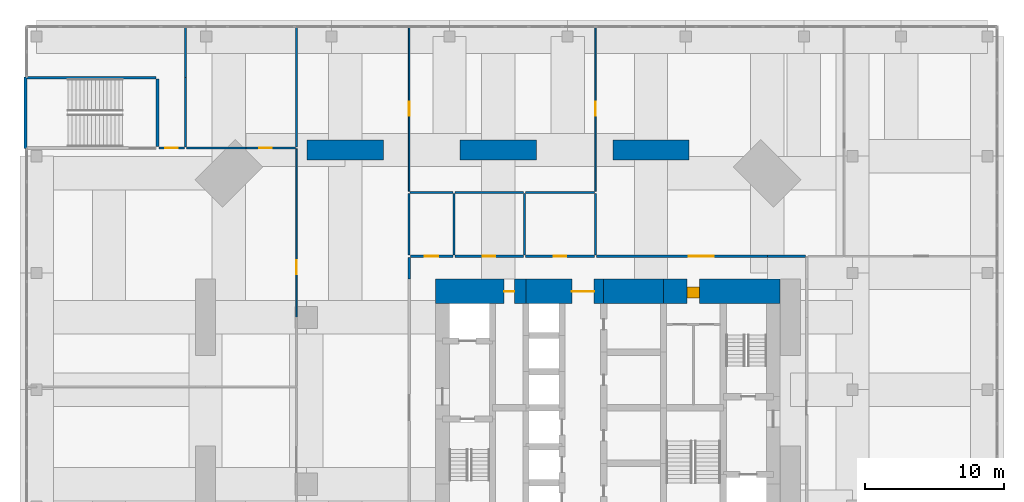
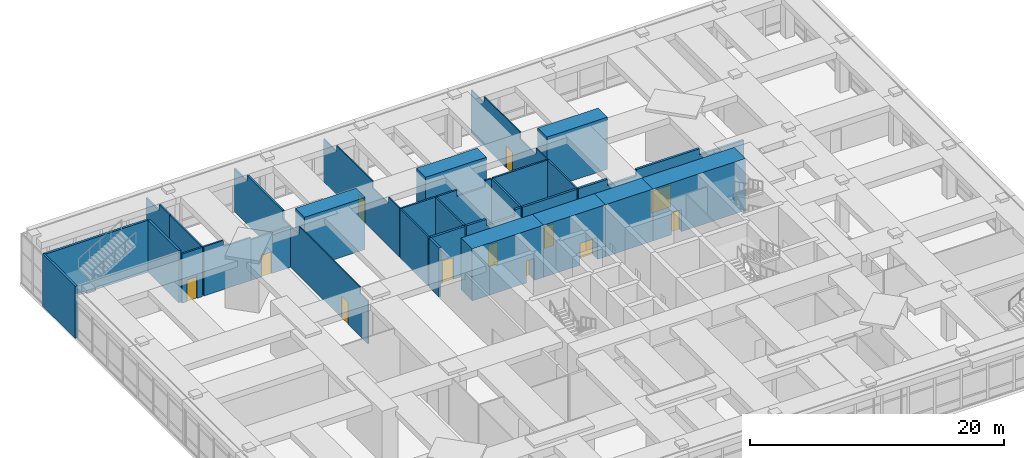
# One storey, part 20 of 22: 32 walls, 12 doors, 12 openings.
"""IFC4 building model written with IfcOpenShell, lengths in metres."""

from ifc_helpers import new_model, si_unit, direction, frame, frame_2d, origin, place, context, subcontext, project, spatial, polyline, rectangle, outline, extrude, material, layer, layer_set, constituent, constituent_set, type_object, element, fill, save


model = new_model("IFC4")

# Units and contexts
model_context = context("Model", 3, precision=1e-05, world=origin(), true_north=direction((0.0, 1.0)))
body_context = subcontext(model_context, "Body", "Model", "MODEL_VIEW")
ifc_project = project(units=[si_unit("LENGTHUNIT", "METRE"), si_unit("AREAUNIT", "SQUARE_METRE"), si_unit("VOLUMEUNIT", "CUBIC_METRE"), si_unit("PLANEANGLEUNIT", "RADIAN"), si_unit("MASSUNIT", "GRAM", prefix="KILO")], contexts=[model_context])

# Site, building, storey
site_placement = place(None, origin())
site = spatial("IfcSite", under=ifc_project, at=site_placement, CompositionType="ELEMENT")
building_placement = place(site_placement, origin())
building = spatial("IfcBuilding", under=site, at=building_placement, Name="Jalousie Tower", CompositionType="ELEMENT")
storey_placement = place(building_placement, frame((0.0, 0.0, 6.0)))
storey = spatial("IfcBuildingStorey", under=building, at=storey_placement, Name="L01", CompositionType="ELEMENT", Elevation=6.0)

# Wall, opening, door
ifc_material_1 = material(Name="Concrete block ASTM C90", Category="concrete")
ifc_constituent_1 = constituent(ifc_material_1, Name="Body")
ifc_material_2 = material(Name="Render")
ifc_constituent_2 = constituent(ifc_material_2, Name="Finish")
ifc_constituent_set_1 = constituent_set(constituents=[ifc_constituent_1, ifc_constituent_2])
wall_type_1 = type_object("IfcWallType", Name="BATHROOM WALL 150", PredefinedType="PLUMBINGWALL", material=ifc_constituent_set_1)
wall_1_placement = place(storey_placement, frame((-0.39990234375, 37.199951171875, 0.0), z_axis=(0.0, 0.0, 1.0), x_axis=(1.0, 0.0, 0.0)))
wall_1 = element("IfcWall", 1, at=wall_1_placement, inside=storey, type_object=wall_type_1, Name="Bathroom Wall 150 L01", PredefinedType="PLUMBINGWALL", context=body_context, shape_type="SweptSolid", body=[
    extrude(rectangle(XDim=1.824951171875, YDim=0.14990234375, at=frame_2d((0.91259765625, 0.0))), origin(), (0.0, 0.0, 1.0), 4.719970703125),
])
opening_1_placement = place(wall_1_placement, frame((0.449951171875, 0.0, 0.0)))
opening_1 = element("IfcOpeningElement", 2, at=opening_1_placement, cuts=wall_1, Name="Opening D7", PredefinedType="OPENING", context=body_context, shape_type="SweptSolid", body=[
    extrude(rectangle(XDim=0.89990234375, YDim=2.10009765625, at=frame_2d((0.449951171875, 1.050048828125))), frame((0.0, 0.0849609375, 0.0), z_axis=(0.0, -1.0, 0.0), x_axis=(1.0, 0.0, 0.0)), (0.0, 0.0, 1.0), 0.169921875),
])
ifc_material_3 = material(Name="Timber door", Category="wood")
door_type_1 = type_object("IfcDoorType", Name="INTERNAL DOOR 900", OperationType="SINGLE_SWING_LEFT", PredefinedType="DOOR", material=ifc_material_3)
door_1_placement = place(opening_1_placement, origin())
door_1 = element("IfcDoor", 3, at=door_1_placement, inside=storey, type_object=door_type_1, Name="Female changing room door", OperationType="SINGLE_SWING_LEFT", OverallHeight=2.10009765625, OverallWidth=0.89990234375, PredefinedType="DOOR", context=body_context, shape_type="SweptSolid", body=[
    extrude(rectangle(XDim=0.89990234375, YDim=2.10009765625, at=frame_2d((0.449951171875, 1.050048828125))), frame((0.0, 0.02490234375, 0.0), z_axis=(0.0, -1.0, 0.0), x_axis=(1.0, 0.0, 0.0)), (0.0, 0.0, 1.0), 0.050048828125),
])
fill(opening_1, door_1)

# Wall
wall_2_placement = place(storey_placement, frame((1.574951171875, 37.199951171875, 0.0), z_axis=(0.0, 0.0, 1.0), x_axis=(1.0, 0.0, 0.0)))
element("IfcWall", 4, at=wall_2_placement, inside=storey, type_object=wall_type_1, Name="Bathroom Wall 150 L01-A", PredefinedType="PLUMBINGWALL", context=body_context, shape_type="SweptSolid", body=[
    extrude(outline(polyline([(0.0, 0.0), (4.274169921875, 0.0), (4.274169921875, 4.1201171875), (1.771484375, 4.1201171875), (1.771484375, 4.719970703125), (0.0, 4.719970703125), (0.0, 0.0)])), frame((0.0, 0.074951171875, 0.0), z_axis=(0.0, -1.0, 0.0), x_axis=(1.0, 0.0, 0.0)), (0.0, 0.0, 1.0), 0.14990234375),
])

# Wall, opening, door
wall_3_placement = place(storey_placement, frame((5.84912109375, 37.199951171875, 0.0), z_axis=(0.0, 0.0, 1.0), x_axis=(1.0, 0.0, 0.0)))
wall_3 = element("IfcWall", 5, at=wall_3_placement, inside=storey, type_object=wall_type_1, Name="Bathroom Wall 150 L01-B", PredefinedType="PLUMBINGWALL", context=body_context, shape_type="SweptSolid", body=[
    extrude(rectangle(XDim=3.575927734375, YDim=0.14990234375, at=frame_2d((1.7880859375, 0.0))), origin(), (0.0, 0.0, 1.0), 3.919921875),
])
opening_2_placement = place(wall_3_placement, frame((0.950927734375, 0.0, 0.0)))
opening_2 = element("IfcOpeningElement", 6, at=opening_2_placement, cuts=wall_3, Name="Opening D7", PredefinedType="OPENING", context=body_context, shape_type="SweptSolid", body=[
    extrude(rectangle(XDim=0.89990234375, YDim=2.10009765625, at=frame_2d((0.449951171875, 1.050048828125))), frame((0.0, 0.0849609375, 0.0), z_axis=(0.0, -1.0, 0.0), x_axis=(1.0, 0.0, 0.0)), (0.0, 0.0, 1.0), 0.169921875),
])
door_2_placement = place(opening_2_placement, origin())
door_2 = element("IfcDoor", 7, at=door_2_placement, inside=storey, type_object=door_type_1, Name="Male changing room door", OperationType="SINGLE_SWING_RIGHT", OverallHeight=2.10009765625, OverallWidth=0.89990234375, PredefinedType="DOOR", context=body_context, shape_type="SweptSolid", body=[
    extrude(rectangle(XDim=0.89990234375, YDim=2.10009765625, at=frame_2d((0.449951171875, 1.050048828125))), frame((0.0, 0.02490234375, 0.0), z_axis=(0.0, -1.0, 0.0), x_axis=(1.0, 0.0, 0.0)), (0.0, 0.0, 1.0), 0.050048828125),
])
fill(opening_2, door_2)

# Walls
wall_4_placement = place(storey_placement, frame((1.5, 37.27490234375, 0.0), z_axis=(0.0, 0.0, 1.0), x_axis=(0.0, 1.0, 0.0)))
element("IfcWall", 8, at=wall_4_placement, inside=storey, type_object=wall_type_1, Name="Bathroom Wall 150 L01", PredefinedType="PLUMBINGWALL", context=body_context, shape_type="SweptSolid", body=[
    extrude(rectangle(XDim=4.97509765625, YDim=0.14990234375, at=frame_2d((2.487548828125, 0.0))), origin(), (0.0, 0.0, 1.0), 4.719970703125),
])
wall_5_placement = place(storey_placement, frame((1.5, 42.25, 0.0), z_axis=(0.0, 0.0, 1.0), x_axis=(0.0, 1.0, 0.0)))
element("IfcWall", 9, at=wall_5_placement, inside=storey, type_object=wall_type_1, Name="Bathroom Wall 150 L01", PredefinedType="PLUMBINGWALL", context=body_context, shape_type="SweptSolid", body=[
    extrude(outline(polyline([(0.0, 0.0), (3.75, 0.0), (3.75, 4.719970703125), (3.75, 4.1201171875), (1.6650390625, 4.1201171875), (1.6650390625, 4.719970703125), (0.0, 4.719970703125), (0.0, 0.0)])), frame((0.0, 0.074951171875, 0.0), z_axis=(0.0, -1.0, 0.0), x_axis=(1.0, 0.0, 0.0)), (0.0, 0.0, 1.0), 0.14990234375),
])
wall_6_placement = place(storey_placement, frame((9.5, 37.27490234375, 0.0), z_axis=(0.0, 0.0, 1.0), x_axis=(0.0, 1.0, 0.0)))
element("IfcWall", 10, at=wall_6_placement, inside=storey, type_object=wall_type_1, Name="Bathroom Wall 150 L01", PredefinedType="PLUMBINGWALL", context=body_context, shape_type="SweptSolid", body=[
    extrude(outline(polyline([(0.0, 0.0), (8.72509765625, 0.0), (8.72509765625, 4.719970703125), (8.72509765625, 4.1201171875), (6.639892578125, 4.1201171875), (6.639892578125, 4.719970703125), (1.06005859375, 4.719970703125), (1.06005859375, 3.919921875), (0.0, 3.919921875), (0.0, 4.719970703125), (0.0, 0.0)])), frame((0.0, 0.074951171875, 0.0), z_axis=(0.0, -1.0, 0.0), x_axis=(1.0, 0.0, 0.0)), (0.0, 0.0, 1.0), 0.14990234375),
])
for number, where, z_axis, x_axis, name in (
    (11, (17.60009765625, 29.5, 0.0), (0.0, 0.0, 1.0), (0.0, 1.0, 0.0), "Bathroom Wall 150 L01"),
    (12, (20.81591796875, 29.5, 0.0), (0.0, 0.0, 1.0), (0.0, 1.0, 0.0), "Bathroom Wall 150 L01"),
):
    element("IfcWall", number, at=place(storey_placement, frame(where, z_axis=z_axis, x_axis=x_axis)), inside=storey, type_object=wall_type_1, Name=name, PredefinedType="PLUMBINGWALL", context=body_context, shape_type="SweptSolid", body=[
        extrude(rectangle(XDim=4.425048828125, YDim=0.14990234375, at=frame_2d((2.21240234375, 0.0))), origin(), (0.0, 0.0, 1.0), 4.719970703125),
    ])
wall_7_placement = place(storey_placement, frame((17.675048828125, 34.0, 0.0), z_axis=(0.0, 0.0, 1.0), x_axis=(1.0, 0.0, 0.0)))
element("IfcWall", 13, at=wall_7_placement, inside=storey, type_object=wall_type_1, Name="Bathroom Wall 150 L01", PredefinedType="PLUMBINGWALL", context=body_context, shape_type="SweptSolid", body=[
    extrude(rectangle(XDim=3.06591796875, YDim=0.14990234375, at=frame_2d((1.532958984375, 0.0))), origin(), (0.0, 0.0, 1.0), 4.719970703125),
])
wall_8_placement = place(storey_placement, frame((25.907958984375, 29.5, 0.0), z_axis=(0.0, 0.0, 1.0), x_axis=(0.0, 1.0, 0.0)))
element("IfcWall", 14, at=wall_8_placement, inside=storey, type_object=wall_type_1, Name="Bathroom Wall 150 L01", PredefinedType="PLUMBINGWALL", context=body_context, shape_type="SweptSolid", body=[
    extrude(rectangle(XDim=4.425048828125, YDim=0.14990234375, at=frame_2d((2.21240234375, 0.0))), origin(), (0.0, 0.0, 1.0), 4.719970703125),
])
wall_9_placement = place(storey_placement, frame((20.89111328125, 34.0, 0.0), z_axis=(0.0, 0.0, 1.0), x_axis=(1.0, 0.0, 0.0)))
element("IfcWall", 15, at=wall_9_placement, inside=storey, type_object=wall_type_1, Name="Bathroom Wall 150 L01", PredefinedType="PLUMBINGWALL", context=body_context, shape_type="SweptSolid", body=[
    extrude(outline(polyline([(0.0, 0.0), (4.94189453125, 0.0), (4.94189453125, 4.719970703125), (4.39404296875, 4.719970703125), (4.39404296875, 4.1201171875), (1.823974609375, 4.1201171875), (1.823974609375, 4.719970703125), (0.0, 4.719970703125), (0.0, 0.0)])), frame((0.0, 0.074951171875, 0.0), z_axis=(0.0, -1.0, 0.0), x_axis=(1.0, 0.0, 0.0)), (0.0, 0.0, 1.0), 0.14990234375),
])
wall_10_placement = place(storey_placement, frame((25.98291015625, 34.0, 0.0), z_axis=(0.0, 0.0, 1.0), x_axis=(1.0, 0.0, 0.0)))
element("IfcWall", 16, at=wall_10_placement, inside=storey, type_object=wall_type_1, Name="Bathroom Wall 150 L01", PredefinedType="PLUMBINGWALL", context=body_context, shape_type="SweptSolid", body=[
    extrude(rectangle(XDim=4.942138671875, YDim=0.14990234375, at=frame_2d((2.47119140625, 0.0))), origin(), (0.0, 0.0, 1.0), 4.719970703125),
])
wall_11_placement = place(storey_placement, frame((31.0, 29.5, 0.0), z_axis=(0.0, 0.0, 1.0), x_axis=(0.0, 1.0, 0.0)))
element("IfcWall", 17, at=wall_11_placement, inside=storey, type_object=wall_type_1, Name="Bathroom Wall 150 L01", PredefinedType="PLUMBINGWALL", context=body_context, shape_type="SweptSolid", body=[
    extrude(rectangle(XDim=4.425048828125, YDim=0.14990234375, at=frame_2d((2.21240234375, 0.0))), origin(), (0.0, 0.0, 1.0), 4.719970703125),
])

# Wall, opening, door
ifc_material_4 = material(Name="Concrete f'c 120 MPa", Category="concrete")
ifc_layer_1 = layer(ifc_material_4, 1.75)
ifc_layer_set_1 = layer_set([ifc_layer_1], Name="Concrete f'c 120 MPa")
wall_type_2 = type_object("IfcWallType", Name="CORE WALL 1750", PredefinedType="SHEAR", material=ifc_layer_set_1)
wall_12_placement = place(storey_placement, frame((44.300048828125, 26.875, 0.0), z_axis=(0.0, 0.0, 1.0), x_axis=(-1.0, 0.0, 0.0)))
wall_12 = element("IfcWall", 18, at=wall_12_placement, inside=storey, type_object=wall_type_2, Name="Core wall NA L01", PredefinedType="SHEAR", context=body_context, shape_type="SweptSolid", body=[
    extrude(rectangle(XDim=8.400146484375, YDim=1.75, at=frame_2d((4.2001953125, 0.0))), origin(), (0.0, 0.0, 1.0), 5.0),
])
opening_3_placement = place(wall_12_placement, frame((5.800048828125, 0.0, 0.0)))
opening_3 = element("IfcOpeningElement", 19, at=opening_3_placement, cuts=wall_12, Name="Opening D25", PredefinedType="OPENING", context=body_context, shape_type="SweptSolid", body=[
    extrude(rectangle(XDim=0.89990234375, YDim=2.10009765625, at=frame_2d((0.449951171875, 1.050048828125))), frame((0.0, 0.885009765625, 0.0), z_axis=(0.0, -1.0, 0.0), x_axis=(1.0, 0.0, 0.0)), (0.0, 0.0, 1.0), 1.77001953125),
])
ifc_material_5 = material(Name="Steel fire door", Category="steel")
door_type_2 = type_object("IfcDoorType", Name="SERVICE LOBBY DOOR 900", OperationType="SINGLE_SWING_LEFT", PredefinedType="DOOR", material=ifc_material_5)
door_3_placement = place(opening_3_placement, origin())
door_3 = element("IfcDoor", 20, at=door_3_placement, inside=storey, type_object=door_type_2, Name="Service lobby door", OperationType="SINGLE_SWING_RIGHT", OverallHeight=2.10009765625, OverallWidth=0.89990234375, PredefinedType="DOOR", context=body_context, shape_type="SweptSolid", body=[
    extrude(rectangle(XDim=0.89990234375, YDim=2.10009765625, at=frame_2d((0.449951171875, 1.050048828125))), frame((0.0, 0.47021484375, 0.0), z_axis=(0.0, -1.0, 0.0), x_axis=(1.0, 0.0, 0.0)), (0.0, 0.0, 1.0), 0.800048828125),
])
fill(opening_3, door_3)

# Wall
wall_13_placement = place(storey_placement, frame((35.89990234375, 26.875, 0.0), z_axis=(0.0, 0.0, 1.0), x_axis=(-1.0, 0.0, 0.0)))
element("IfcWall", 21, at=wall_13_placement, inside=storey, type_object=wall_type_2, Name="Core wall NB L01", PredefinedType="SHEAR", context=body_context, shape_type="SweptSolid", body=[
    extrude(rectangle(XDim=4.2998046875, YDim=1.75, at=frame_2d((2.14990234375, 0.0))), origin(), (0.0, 0.0, 1.0), 5.0),
])

# Wall, opening, door
wall_14_placement = place(storey_placement, frame((31.60009765625, 26.875, 0.0), z_axis=(0.0, 0.0, 1.0), x_axis=(-1.0, 0.0, 0.0)))
wall_14 = element("IfcWall", 22, at=wall_14_placement, inside=storey, type_object=wall_type_2, Name="Core wall NC L01", PredefinedType="SHEAR", context=body_context, shape_type="SweptSolid", body=[
    extrude(rectangle(XDim=5.60009765625, YDim=1.75, at=frame_2d((2.800048828125, 0.0))), origin(), (0.0, 0.0, 1.0), 5.0),
])
opening_4_placement = place(wall_14_placement, frame((0.699951171875, 0.0, 0.0)))
opening_4 = element("IfcOpeningElement", 23, at=opening_4_placement, cuts=wall_14, Name="Opening D15", PredefinedType="OPENING", context=body_context, shape_type="SweptSolid", body=[
    extrude(rectangle(XDim=1.60009765625, YDim=2.10009765625, at=frame_2d((0.800048828125, 1.050048828125))), frame((0.0, 0.885009765625, 0.0), z_axis=(0.0, -1.0, 0.0), x_axis=(1.0, 0.0, 0.0)), (0.0, 0.0, 1.0), 1.77001953125),
])
ifc_material_6 = material(Name="Steel fire door", Category="steel")
door_type_3 = type_object("IfcDoorType", Name="LIFT LOBBY DOOR 1600", OperationType="DOUBLE_DOOR_SINGLE_SWING", PredefinedType="DOOR", material=ifc_material_6)
door_4_placement = place(opening_4_placement, origin())
door_4 = element("IfcDoor", 24, at=door_4_placement, inside=storey, type_object=door_type_3, Name="Lift lobby north door", OperationType="DOUBLE_DOOR_SINGLE_SWING", OverallHeight=2.10009765625, OverallWidth=1.60009765625, PredefinedType="DOOR", context=body_context, shape_type="SweptSolid", body=[
    extrude(rectangle(XDim=1.60009765625, YDim=2.10009765625, at=frame_2d((0.800048828125, 1.050048828125))), frame((0.0, 0.02490234375, 0.0), z_axis=(0.0, -1.0, 0.0), x_axis=(1.0, 0.0, 0.0)), (0.0, 0.0, 1.0), 0.050048828125),
])
fill(opening_4, door_4)

wall_15_placement = place(storey_placement, frame((26.0, 26.875, 0.0), z_axis=(0.0, 0.0, 1.0), x_axis=(-1.0, 0.0, 0.0)))
wall_15 = element("IfcWall", 25, at=wall_15_placement, inside=storey, type_object=wall_type_2, Name="Core wall ND L01", PredefinedType="SHEAR", context=body_context, shape_type="SweptSolid", body=[
    extrude(rectangle(XDim=6.5, YDim=1.75, at=frame_2d((3.25, 0.0))), origin(), (0.0, 0.0, 1.0), 5.0),
])
opening_5_placement = place(wall_15_placement, frame((0.824951171875, 0.0, 0.0)))
opening_5 = element("IfcOpeningElement", 26, at=opening_5_placement, cuts=wall_15, Name="Opening D16", PredefinedType="OPENING", context=body_context, shape_type="SweptSolid", body=[
    extrude(rectangle(XDim=0.75, YDim=2.10009765625, at=frame_2d((0.375, 1.050048828125))), frame((0.0, 0.885009765625, 0.0), z_axis=(0.0, -1.0, 0.0), x_axis=(1.0, 0.0, 0.0)), (0.0, 0.0, 1.0), 1.77001953125),
])
ifc_material_7 = material(Name="Steel fire door", Category="steel")
door_type_4 = type_object("IfcDoorType", Name="RISER DOOR 750", OperationType="SINGLE_SWING_LEFT", PredefinedType="DOOR", material=ifc_material_7)
door_5_placement = place(opening_5_placement, origin())
door_5 = element("IfcDoor", 27, at=door_5_placement, inside=storey, type_object=door_type_4, Name="North riser door", OperationType="SINGLE_SWING_RIGHT", OverallHeight=2.10009765625, OverallWidth=0.75, PredefinedType="DOOR", context=body_context, shape_type="SweptSolid", body=[
    extrude(rectangle(XDim=0.75, YDim=2.10009765625, at=frame_2d((0.375, 1.050048828125))), frame((0.0, 0.02490234375, 0.0), z_axis=(0.0, -1.0, 0.0), x_axis=(1.0, 0.0, 0.0)), (0.0, 0.0, 1.0), 0.050048828125),
])
fill(opening_5, door_5)

# Wall
ifc_material_8 = material(Name="Concrete block ASTM C90", Category="concrete")
ifc_constituent_3 = constituent(ifc_material_8, Name="Body")
ifc_material_9 = material(Name="Render")
ifc_constituent_4 = constituent(ifc_material_9, Name="Finish")
ifc_constituent_set_2 = constituent_set(constituents=[ifc_constituent_3, ifc_constituent_4])
wall_type_3 = type_object("IfcWallType", Name="CORRIDOR WALL 200", PredefinedType="PARTITIONING", material=ifc_constituent_set_2)
wall_16_placement = place(storey_placement, frame((17.60009765625, 27.75, 0.0), z_axis=(0.0, 0.0, 1.0), x_axis=(0.0, 1.0, 0.0)))
element("IfcWall", 28, at=wall_16_placement, inside=storey, type_object=wall_type_3, Name="Corridor Wall 200 L01", PredefinedType="PARTITIONING", context=body_context, shape_type="SweptSolid", body=[
    extrude(rectangle(XDim=1.550048828125, YDim=0.199951171875, at=frame_2d((0.77490234375, 0.0))), origin(), (0.0, 0.0, 1.0), 4.719970703125),
])

# Wall, opening, door
wall_17_placement = place(storey_placement, frame((17.699951171875, 29.39990234375, 0.0), z_axis=(0.0, 0.0, 1.0), x_axis=(1.0, 0.0, 0.0)))
wall_17 = element("IfcWall", 29, at=wall_17_placement, inside=storey, type_object=wall_type_3, Name="Corridor Wall 200 L01", PredefinedType="PARTITIONING", context=body_context, shape_type="SweptSolid", body=[
    extrude(rectangle(XDim=3.041015625, YDim=0.199951171875, at=frame_2d((1.5205078125, 0.0))), origin(), (0.0, 0.0, 1.0), 4.719970703125),
])
opening_6_placement = place(wall_17_placement, frame((1.008056640625, 0.0, 0.0)))
opening_6 = element("IfcOpeningElement", 30, at=opening_6_placement, cuts=wall_17, Name="Opening D21", PredefinedType="OPENING", context=body_context, shape_type="SweptSolid", body=[
    extrude(rectangle(XDim=1.0, YDim=2.10009765625, at=frame_2d((0.5, 1.050048828125))), frame((0.0, 0.10986328125, 0.0), z_axis=(0.0, -1.0, 0.0), x_axis=(1.0, 0.0, 0.0)), (0.0, 0.0, 1.0), 0.219970703125),
])
ifc_material_10 = material(Name="Timber fire door", Category="wood")
door_type_5 = type_object("IfcDoorType", Name="CORRIDOR DOOR 1000", OperationType="SINGLE_SWING_LEFT", PredefinedType="DOOR", material=ifc_material_10)
door_6_placement = place(opening_6_placement, origin())
door_6 = element("IfcDoor", 31, at=door_6_placement, inside=storey, type_object=door_type_5, Name="Accessible WC door", OperationType="SINGLE_SWING_LEFT", OverallHeight=2.10009765625, OverallWidth=1.0, PredefinedType="DOOR", context=body_context, shape_type="SweptSolid", body=[
    extrude(rectangle(XDim=1.0, YDim=2.10009765625, at=frame_2d((0.5, 1.050048828125))), frame((0.0, 0.02490234375, 0.0), z_axis=(0.0, -1.0, 0.0), x_axis=(1.0, 0.0, 0.0)), (0.0, 0.0, 1.0), 0.050048828125),
])
fill(opening_6, door_6)

wall_18_placement = place(storey_placement, frame((20.89111328125, 29.39990234375, 0.0), z_axis=(0.0, 0.0, 1.0), x_axis=(1.0, 0.0, 0.0)))
wall_18 = element("IfcWall", 32, at=wall_18_placement, inside=storey, type_object=wall_type_3, Name="Corridor Wall 200 L01", PredefinedType="PARTITIONING", context=body_context, shape_type="SweptSolid", body=[
    extrude(outline(polyline([(0.0, 0.0), (4.94189453125, 0.0), (4.94189453125, 4.719970703125), (4.4189453125, 4.719970703125), (4.4189453125, 4.1201171875), (1.799072265625, 4.1201171875), (1.799072265625, 4.719970703125), (0.0, 4.719970703125), (0.0, 0.0)])), frame((0.0, 0.10009765625, 0.0), z_axis=(0.0, -1.0, 0.0), x_axis=(1.0, 0.0, 0.0)), (0.0, 0.0, 1.0), 0.199951171875),
])
opening_7_placement = place(wall_18_placement, frame((2.02099609375, 0.0, 0.0)))
opening_7 = element("IfcOpeningElement", 33, at=opening_7_placement, cuts=wall_18, Name="Opening D20", PredefinedType="OPENING", context=body_context, shape_type="SweptSolid", body=[
    extrude(rectangle(XDim=0.89990234375, YDim=2.10009765625, at=frame_2d((0.449951171875, 1.050048828125))), frame((0.0, 0.10986328125, 0.0), z_axis=(0.0, -1.0, 0.0), x_axis=(1.0, 0.0, 0.0)), (0.0, 0.0, 1.0), 0.219970703125),
])
ifc_material_11 = material(Name="Timber fire door", Category="wood")
door_type_6 = type_object("IfcDoorType", Name="CORRIDOR DOOR 900", OperationType="SINGLE_SWING_LEFT", PredefinedType="DOOR", material=ifc_material_11)
door_7_placement = place(opening_7_placement, origin())
door_7 = element("IfcDoor", 34, at=door_7_placement, inside=storey, type_object=door_type_6, Name="Female WC door", OperationType="SINGLE_SWING_LEFT", OverallHeight=2.10009765625, OverallWidth=0.89990234375, PredefinedType="DOOR", context=body_context, shape_type="SweptSolid", body=[
    extrude(rectangle(XDim=0.89990234375, YDim=2.10009765625, at=frame_2d((0.449951171875, 1.050048828125))), frame((0.0, 0.02490234375, 0.0), z_axis=(0.0, -1.0, 0.0), x_axis=(1.0, 0.0, 0.0)), (0.0, 0.0, 1.0), 0.050048828125),
])
fill(opening_7, door_7)

wall_19_placement = place(storey_placement, frame((25.98291015625, 29.39990234375, 0.0), z_axis=(0.0, 0.0, 1.0), x_axis=(1.0, 0.0, 0.0)))
wall_19 = element("IfcWall", 35, at=wall_19_placement, inside=storey, type_object=wall_type_3, Name="Corridor Wall 200 L01", PredefinedType="PARTITIONING", context=body_context, shape_type="SweptSolid", body=[
    extrude(rectangle(XDim=4.942138671875, YDim=0.199951171875, at=frame_2d((2.47119140625, 0.0))), origin(), (0.0, 0.0, 1.0), 4.719970703125),
])
opening_8_placement = place(wall_19_placement, frame((2.02099609375, 0.0, 0.0)))
opening_8 = element("IfcOpeningElement", 36, at=opening_8_placement, cuts=wall_19, Name="Opening D20", PredefinedType="OPENING", context=body_context, shape_type="SweptSolid", body=[
    extrude(rectangle(XDim=0.89990234375, YDim=2.10009765625, at=frame_2d((0.449951171875, 1.050048828125))), frame((0.0, 0.10986328125, 0.0), z_axis=(0.0, -1.0, 0.0), x_axis=(1.0, 0.0, 0.0)), (0.0, 0.0, 1.0), 0.219970703125),
])
door_8_placement = place(opening_8_placement, origin())
door_8 = element("IfcDoor", 37, at=door_8_placement, inside=storey, type_object=door_type_6, Name="Male WC door", OperationType="SINGLE_SWING_LEFT", OverallHeight=2.10009765625, OverallWidth=0.89990234375, PredefinedType="DOOR", context=body_context, shape_type="SweptSolid", body=[
    extrude(rectangle(XDim=0.89990234375, YDim=2.10009765625, at=frame_2d((0.449951171875, 1.050048828125))), frame((0.0, 0.02490234375, 0.0), z_axis=(0.0, -1.0, 0.0), x_axis=(1.0, 0.0, 0.0)), (0.0, 0.0, 1.0), 0.050048828125),
])
fill(opening_8, door_8)

wall_20_placement = place(storey_placement, frame((31.074951171875, 29.39990234375, 0.0), z_axis=(0.0, 0.0, 1.0), x_axis=(1.0, 0.0, 0.0)))
wall_20 = element("IfcWall", 38, at=wall_20_placement, inside=storey, type_object=wall_type_3, Name="Corridor Wall 200 L01-A", PredefinedType="PARTITIONING", context=body_context, shape_type="SweptSolid", body=[
    extrude(outline(polyline([(0.0, 0.0), (12.293701171875, 0.0), (12.293701171875, 4.1201171875), (10.983642578125, 4.1201171875), (10.983642578125, 4.719970703125), (5.235107421875, 4.719970703125), (5.235107421875, 4.1201171875), (2.614990234375, 4.1201171875), (2.614990234375, 4.719970703125), (0.0, 4.719970703125), (0.0, 0.0)])), frame((0.0, 0.10009765625, 0.0), z_axis=(0.0, -1.0, 0.0), x_axis=(1.0, 0.0, 0.0)), (0.0, 0.0, 1.0), 0.199951171875),
])
opening_9_placement = place(wall_20_placement, frame((6.625, 0.0, 0.0)))
opening_9 = element("IfcOpeningElement", 39, at=opening_9_placement, cuts=wall_20, Name="Opening D22", PredefinedType="OPENING", context=body_context, shape_type="SweptSolid", body=[
    extrude(rectangle(XDim=1.800048828125, YDim=2.10009765625, at=frame_2d((0.89990234375, 1.050048828125))), frame((0.0, 0.10986328125, 0.0), z_axis=(0.0, -1.0, 0.0), x_axis=(1.0, 0.0, 0.0)), (0.0, 0.0, 1.0), 0.219970703125),
])
ifc_material_12 = material(Name="Timber fire door", Category="wood")
door_type_7 = type_object("IfcDoorType", Name="CORRIDOR DOUBLE DOOR 1800", OperationType="DOUBLE_DOOR_SINGLE_SWING", PredefinedType="DOOR", material=ifc_material_12)
door_9_placement = place(opening_9_placement, origin())
door_9 = element("IfcDoor", 40, at=door_9_placement, inside=storey, type_object=door_type_7, Name="Cafe door", OperationType="DOUBLE_DOOR_SINGLE_SWING", OverallHeight=2.10009765625, OverallWidth=1.800048828125, PredefinedType="DOOR", context=body_context, shape_type="SweptSolid", body=[
    extrude(rectangle(XDim=1.800048828125, YDim=2.10009765625, at=frame_2d((0.89990234375, 1.050048828125))), frame((0.0, 0.02490234375, 0.0), z_axis=(0.0, -1.0, 0.0), x_axis=(1.0, 0.0, 0.0)), (0.0, 0.0, 1.0), 0.050048828125),
])
fill(opening_9, door_9)

# Wall
wall_21_placement = place(storey_placement, frame((43.36865234375, 29.39990234375, 0.0), z_axis=(0.0, 0.0, 1.0), x_axis=(1.0, 0.0, 0.0)))
element("IfcWall", 41, at=wall_21_placement, inside=storey, type_object=wall_type_3, Name="Corridor Wall 200 L01-B", PredefinedType="PARTITIONING", context=body_context, shape_type="SweptSolid", body=[
    extrude(rectangle(XDim=2.7314453125, YDim=0.199951171875, at=frame_2d((1.36572265625, 0.0))), origin(), (0.0, 0.0, 1.0), 4.1201171875),
])

# Wall, opening, door
ifc_material_13 = material(Name="Gypsum board", Category="gypsum")
ifc_constituent_5 = constituent(ifc_material_13, Name="Body")
ifc_material_14 = material(Name="Light-gauge steel studs ASTM A653 SS Grade 33", Category="steel")
ifc_constituent_6 = constituent(ifc_material_14, Name="Framing")
ifc_constituent_set_3 = constituent_set(constituents=[ifc_constituent_5, ifc_constituent_6])
wall_type_4 = type_object("IfcWallType", Name="PARTITION 100", PredefinedType="PARTITIONING", material=ifc_constituent_set_3)
wall_22_placement = place(storey_placement, frame((9.5, 25.0, 0.0), z_axis=(0.0, 0.0, 1.0), x_axis=(0.0, 1.0, 0.0)))
wall_22 = element("IfcWall", 42, at=wall_22_placement, inside=storey, type_object=wall_type_4, Name="Partition 100 L01-B", PredefinedType="PARTITIONING", context=body_context, shape_type="SweptSolid", body=[
    extrude(outline(polyline([(0.0, 0.0), (12.125, 0.0), (12.125, 3.919921875), (10.7900390625, 3.919921875), (10.7900390625, 4.719970703125), (1.260009765625, 4.719970703125), (1.260009765625, 4.1201171875), (0.0, 4.1201171875), (0.0, 0.0)])), frame((0.0, 0.050048828125, 0.0), z_axis=(0.0, -1.0, 0.0), x_axis=(1.0, 0.0, 0.0)), (0.0, 0.0, 1.0), 0.10009765625),
])
opening_10_placement = place(wall_22_placement, frame((3.10009765625, 0.0, 0.0)))
opening_10 = element("IfcOpeningElement", 43, at=opening_10_placement, cuts=wall_22, Name="Opening D6", PredefinedType="OPENING", context=body_context, shape_type="SweptSolid", body=[
    extrude(rectangle(XDim=1.0, YDim=2.10009765625, at=frame_2d((0.5, 1.050048828125))), frame((0.0, 0.06005859375, 0.0), z_axis=(0.0, -1.0, 0.0), x_axis=(1.0, 0.0, 0.0)), (0.0, 0.0, 1.0), 0.1201171875),
])
ifc_material_15 = material(Name="Timber door", Category="wood")
door_type_8 = type_object("IfcDoorType", Name="INTERNAL DOOR 1000", OperationType="SINGLE_SWING_LEFT", PredefinedType="DOOR", material=ifc_material_15)
door_10_placement = place(opening_10_placement, frame((1.0, 0.0, 0.0), z_axis=(0.0, 0.0, 1.0), x_axis=(-1.0, 0.0, 0.0)))
door_10 = element("IfcDoor", 44, at=door_10_placement, inside=storey, type_object=door_type_8, Name="Yoga studio door", OperationType="SINGLE_SWING_RIGHT", OverallHeight=2.10009765625, OverallWidth=1.0, PredefinedType="DOOR", context=body_context, shape_type="SweptSolid", body=[
    extrude(rectangle(XDim=1.0, YDim=2.10009765625, at=frame_2d((0.5, 1.050048828125))), frame((0.0, 0.02490234375, 0.0), z_axis=(0.0, -1.0, 0.0), x_axis=(1.0, 0.0, 0.0)), (0.0, 0.0, 1.0), 0.050048828125),
])
fill(opening_10, door_10)

wall_23_placement = place(storey_placement, frame((17.60009765625, 34.074951171875, 0.0), z_axis=(0.0, 0.0, 1.0), x_axis=(0.0, 1.0, 0.0)))
wall_23 = element("IfcWall", 45, at=wall_23_placement, inside=storey, type_object=wall_type_4, Name="Partition 100 L01", PredefinedType="PARTITIONING", context=body_context, shape_type="SweptSolid", body=[
    extrude(outline(polyline([(0.0, 0.0), (11.925048828125, 0.0), (11.925048828125, 4.719970703125), (11.925048828125, 4.1201171875), (9.864990234375, 4.1201171875), (9.864990234375, 4.719970703125), (4.235107421875, 4.719970703125), (4.235107421875, 4.1201171875), (1.715087890625, 4.1201171875), (1.715087890625, 4.719970703125), (0.0, 4.719970703125), (0.0, 0.0)])), frame((0.0, 0.050048828125, 0.0), z_axis=(0.0, -1.0, 0.0), x_axis=(1.0, 0.0, 0.0)), (0.0, 0.0, 1.0), 0.10009765625),
])
opening_11_placement = place(wall_23_placement, frame((5.425048828125, 0.0, 0.0)))
opening_11 = element("IfcOpeningElement", 46, at=opening_11_placement, cuts=wall_23, Name="Opening D6", PredefinedType="OPENING", context=body_context, shape_type="SweptSolid", body=[
    extrude(rectangle(XDim=1.0, YDim=2.10009765625, at=frame_2d((0.5, 1.050048828125))), frame((0.0, 0.06005859375, 0.0), z_axis=(0.0, -1.0, 0.0), x_axis=(1.0, 0.0, 0.0)), (0.0, 0.0, 1.0), 0.1201171875),
])
door_11_placement = place(opening_11_placement, origin())
door_11 = element("IfcDoor", 47, at=door_11_placement, inside=storey, type_object=door_type_8, Name="Kitchenette lounge door", OperationType="SINGLE_SWING_LEFT", OverallHeight=2.10009765625, OverallWidth=1.0, PredefinedType="DOOR", context=body_context, shape_type="SweptSolid", body=[
    extrude(rectangle(XDim=1.0, YDim=2.10009765625, at=frame_2d((0.5, 1.050048828125))), frame((0.0, 0.02490234375, 0.0), z_axis=(0.0, -1.0, 0.0), x_axis=(1.0, 0.0, 0.0)), (0.0, 0.0, 1.0), 0.050048828125),
])
fill(opening_11, door_11)

wall_24_placement = place(storey_placement, frame((31.0, 34.074951171875, 0.0), z_axis=(0.0, 0.0, 1.0), x_axis=(0.0, 1.0, 0.0)))
wall_24 = element("IfcWall", 48, at=wall_24_placement, inside=storey, type_object=wall_type_4, Name="Partition 100 L01", PredefinedType="PARTITIONING", context=body_context, shape_type="SweptSolid", body=[
    extrude(outline(polyline([(0.0, 0.0), (11.925048828125, 0.0), (11.925048828125, 4.719970703125), (11.925048828125, 4.1201171875), (9.864990234375, 4.1201171875), (9.864990234375, 4.719970703125), (4.235107421875, 4.719970703125), (4.235107421875, 4.1201171875), (1.715087890625, 4.1201171875), (1.715087890625, 4.719970703125), (0.0, 4.719970703125), (0.0, 0.0)])), frame((0.0, 0.050048828125, 0.0), z_axis=(0.0, -1.0, 0.0), x_axis=(1.0, 0.0, 0.0)), (0.0, 0.0, 1.0), 0.10009765625),
])
opening_12_placement = place(wall_24_placement, frame((5.425048828125, 0.0, 0.0)))
opening_12 = element("IfcOpeningElement", 49, at=opening_12_placement, cuts=wall_24, Name="Opening D6", PredefinedType="OPENING", context=body_context, shape_type="SweptSolid", body=[
    extrude(rectangle(XDim=1.0, YDim=2.10009765625, at=frame_2d((0.5, 1.050048828125))), frame((0.0, 0.06005859375, 0.0), z_axis=(0.0, -1.0, 0.0), x_axis=(1.0, 0.0, 0.0)), (0.0, 0.0, 1.0), 0.1201171875),
])
door_12_placement = place(opening_12_placement, frame((1.0, 0.0, 0.0), z_axis=(0.0, 0.0, 1.0), x_axis=(-1.0, 0.0, 0.0)))
door_12 = element("IfcDoor", 50, at=door_12_placement, inside=storey, type_object=door_type_8, Name="Kitchenette door", OperationType="SINGLE_SWING_RIGHT", OverallHeight=2.10009765625, OverallWidth=1.0, PredefinedType="DOOR", context=body_context, shape_type="SweptSolid", body=[
    extrude(rectangle(XDim=1.0, YDim=2.10009765625, at=frame_2d((0.5, 1.050048828125))), frame((0.0, 0.02490234375, 0.0), z_axis=(0.0, -1.0, 0.0), x_axis=(1.0, 0.0, 0.0)), (0.0, 0.0, 1.0), 0.050048828125),
])
fill(opening_12, door_12)

# Walls
ifc_material_16 = material(Name="Concrete f'c 120 MPa", Category="concrete")
ifc_layer_2 = layer(ifc_material_16, 1.449951171875)
ifc_layer_set_2 = layer_set([ifc_layer_2], Name="Concrete f'c 120 MPa")
wall_type_5 = type_object("IfcWallType", Name="RC WALL PIER 1450", PredefinedType="SHEAR", material=ifc_layer_set_2)
for number, where, z_axis, x_axis, name in (
    (51, (32.25, 37.050048828125, 0.0), (0.0, 0.0, 1.0), (1.0, 0.0, 0.0), "Wall pier 09 L01"),
    (52, (21.25, 37.050048828125, 0.0), (0.0, 0.0, 1.0), (1.0, 0.0, 0.0), "Wall pier 10 L01"),
    (53, (10.25, 37.050048828125, 0.0), (0.0, 0.0, 1.0), (1.0, 0.0, 0.0), "Wall pier 11 L01"),
):
    element("IfcWall", number, at=place(storey_placement, frame(where, z_axis=z_axis, x_axis=x_axis)), inside=storey, type_object=wall_type_5, Name=name, PredefinedType="SHEAR", context=body_context, shape_type="SweptSolid", body=[
        extrude(rectangle(XDim=5.5, YDim=1.449951171875, at=frame_2d((2.75, 0.0))), origin(), (0.0, 0.0, 1.0), 5.0),
    ])
ifc_material_17 = material(Name="Concrete block ASTM C90", Category="concrete")
ifc_constituent_7 = constituent(ifc_material_17, Name="Body")
ifc_material_18 = material(Name="Render")
ifc_constituent_8 = constituent(ifc_material_18, Name="Finish")
ifc_constituent_set_4 = constituent_set(constituents=[ifc_constituent_7, ifc_constituent_8])
wall_type_6 = type_object("IfcWallType", Name="STAIR WALL 200", PredefinedType="SOLIDWALL", material=ifc_constituent_set_4)
wall_25_placement = place(storey_placement, frame((-10.0, 42.300048828125, 0.0), z_axis=(0.0, 0.0, 1.0), x_axis=(0.0, -1.0, 0.0)))
element("IfcWall", 54, at=wall_25_placement, inside=storey, type_object=wall_type_6, Name="Stair Wall 200 L01", PredefinedType="SOLIDWALL", context=body_context, shape_type="SweptSolid", body=[
    extrude(rectangle(XDim=5.150146484375, YDim=0.199951171875, at=frame_2d((2.5751953125, 0.0))), origin(), (0.0, 0.0, 1.0), 5.0),
])
wall_26_placement = place(storey_placement, frame((-0.5, 37.300048828125, 0.0), z_axis=(0.0, 0.0, 1.0), x_axis=(0.0, 1.0, 0.0)))
element("IfcWall", 55, at=wall_26_placement, inside=storey, type_object=wall_type_6, Name="Stair Wall 200 L01", PredefinedType="SOLIDWALL", context=body_context, shape_type="SweptSolid", body=[
    extrude(rectangle(XDim=4.849853515625, YDim=0.199951171875, at=frame_2d((2.4248046875, 0.0))), origin(), (0.0, 0.0, 1.0), 5.0),
])
wall_27_placement = place(storey_placement, frame((-10.0, 42.25, 0.0), z_axis=(0.0, 0.0, 1.0), x_axis=(1.0, 0.0, 0.0)))
element("IfcWall", 56, at=wall_27_placement, inside=storey, type_object=wall_type_6, Name="Stair Wall 200 L01", PredefinedType="SOLIDWALL", context=body_context, shape_type="SweptSolid", body=[
    extrude(rectangle(XDim=9.39990234375, YDim=0.199951171875, at=frame_2d((4.699951171875, 0.0))), origin(), (0.0, 0.0, 1.0), 5.0),
])

save(model, "model.ifc")
